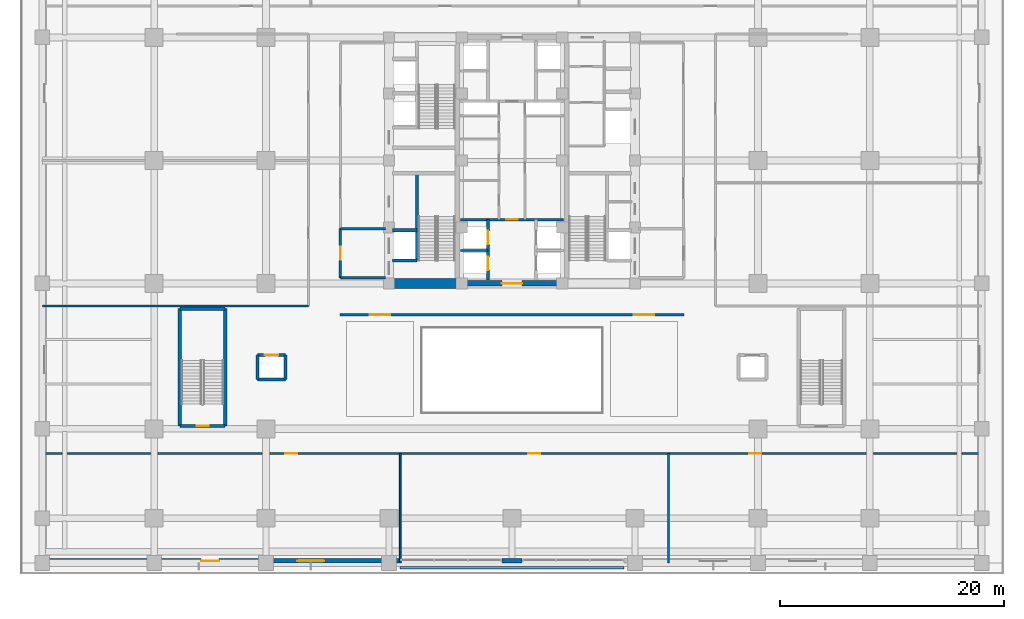
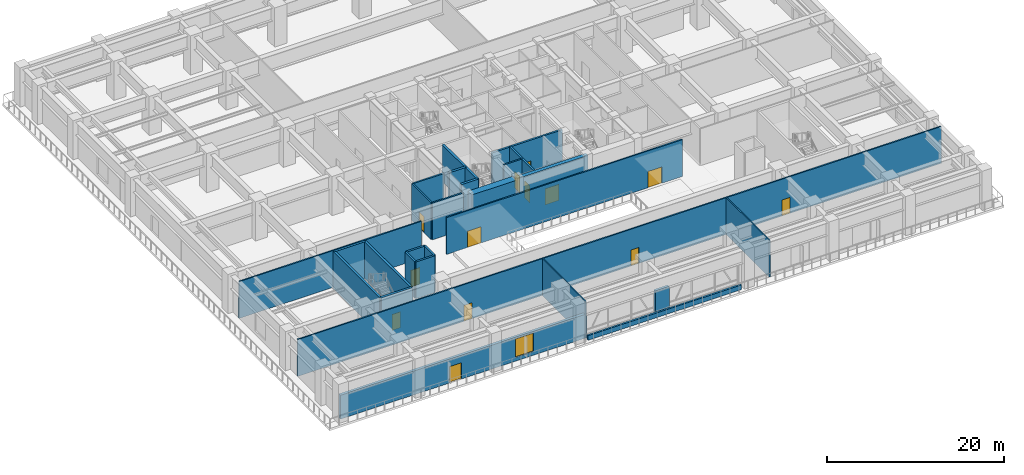
# One storey, part 15 of 28: 27 walls, 13 doors, 1 window, 14 openings.
"""IFC4 building model written with IfcOpenShell, lengths in metres."""

from ifc_helpers import new_model, si_unit, direction, frame, frame_2d, origin, place, context, subcontext, project, spatial, rectangle, extrude, source, transform, mapped, material, layer, layer_set, type_object, element, fill, save


model = new_model("IFC4")

# Units and contexts
model_context = context("Model", 3, precision=1e-05, world=origin(), true_north=direction((0.0, 1.0)))
body_context = subcontext(model_context, "Body", "Model", "MODEL_VIEW")
ifc_project = project(units=[si_unit("LENGTHUNIT", "METRE"), si_unit("AREAUNIT", "SQUARE_METRE"), si_unit("VOLUMEUNIT", "CUBIC_METRE"), si_unit("PLANEANGLEUNIT", "RADIAN"), si_unit("MASSUNIT", "GRAM", prefix="KILO")], contexts=[model_context])

# Site, building, storey
site_placement = place(None, origin())
site = spatial("IfcSite", under=ifc_project, at=site_placement, CompositionType="ELEMENT")
building_placement = place(site_placement, origin())
building = spatial("IfcBuilding", under=site, at=building_placement, Name="Khorayat Bourse Tower", CompositionType="ELEMENT")
storey_placement = place(building_placement, frame((0.0, 0.0, 12.0)))
storey = spatial("IfcBuildingStorey", under=building, at=storey_placement, Name="L02", CompositionType="ELEMENT", Elevation=12.0)

# Wall
ifc_material_1 = material(Name="Concrete C72/90", Category="concrete")
ifc_layer_1 = layer(ifc_material_1, 0.89990234375)
ifc_layer_set_1 = layer_set([ifc_layer_1], Name="Concrete C72/90")
wall_type_1 = type_object("IfcWallType", Name="WAL-CORE-900", PredefinedType="SHEAR", material=ifc_layer_set_1)
shared_shape_1 = source(origin(), body_context, "Body", "SweptSolid", [
    extrude(rectangle(XDim=5.849853515625, YDim=0.89990234375, at=frame_2d((2.9248046875, 0.0))), origin(), (0.0, 0.0, 1.0), 5.080078125),
])
wall_1_placement = place(storey_placement, frame((-10.699951171875, -11.0, 0.0), z_axis=(0.0, 0.0, 1.0), x_axis=(1.0, 0.0, 0.0)))
element("IfcWall", 1, at=wall_1_placement, inside=storey, type_object=wall_type_1, Name="L02 Core Shear Wall PIER-WS", PredefinedType="SHEAR", context=body_context, shape_type="MappedRepresentation", body=[
    mapped(shared_shape_1, transform((0.0, 0.0, 0.0), scale=1.0)),
])

# Wall, opening, door
ifc_material_2 = material(Name="Concrete C52/65", Category="concrete")
ifc_layer_2 = layer(ifc_material_2, 0.5)
ifc_layer_set_2 = layer_set([ifc_layer_2], Name="Concrete C52/65")
wall_type_2 = type_object("IfcWallType", Name="WAL-CORE-500", PredefinedType="SHEAR", material=ifc_layer_set_2)
shared_shape_2 = source(origin(), body_context, "Body", "SweptSolid", [
    extrude(rectangle(XDim=9.2001953125, YDim=0.5, at=frame_2d((4.60009765625, 0.0))), origin(), (0.0, 0.0, 1.0), 5.080078125),
])
wall_2_placement = place(storey_placement, frame((-4.60009765625, -11.0, 0.0), z_axis=(0.0, 0.0, 1.0), x_axis=(1.0, 0.0, 0.0)))
wall_2 = element("IfcWall", 2, at=wall_2_placement, inside=storey, type_object=wall_type_2, Name="L02 Core Shear Wall CORE-S", PredefinedType="SHEAR", context=body_context, shape_type="MappedRepresentation", body=[
    mapped(shared_shape_2, transform((0.0, 0.0, 0.0), scale=1.0)),
])
shared_shape_3 = source(origin(), body_context, "Body", "SweptSolid", [
    extrude(rectangle(XDim=1.800048828125, YDim=2.25, at=frame_2d((0.89990234375, 1.125))), frame((0.0, 0.260009765625, 0.0), z_axis=(0.0, -1.0, 0.0), x_axis=(1.0, 0.0, 0.0)), (0.0, 0.0, 1.0), 0.52001953125),
])
opening_1_placement = place(wall_2_placement, frame((3.699951171875, 0.0, 0.0)))
opening_1 = element("IfcOpeningElement", 3, at=opening_1_placement, cuts=wall_2, Name="Opening DI-03", PredefinedType="OPENING", context=body_context, shape_type="MappedRepresentation", body=[
    mapped(shared_shape_3, transform((0.0, 0.0, 0.0), scale=1.0)),
])
ifc_material_3 = material(Name="Fire-rated hardwood vision-panel double leaf", Category="wood")
door_type_1 = type_object("IfcDoorType", Name="DR-INT-CORR-1800", OperationType="NOTDEFINED", PredefinedType="DOOR", material=ifc_material_3)
shared_shape_4 = source(origin(), body_context, "Body", "SweptSolid", [
    extrude(rectangle(XDim=1.800048828125, YDim=2.25, at=frame_2d((0.89990234375, 1.125))), frame((0.0, 0.02490234375, 0.0), z_axis=(0.0, -1.0, 0.0), x_axis=(1.0, 0.0, 0.0)), (0.0, 0.0, 1.0), 0.050048828125),
])
door_1_placement = place(opening_1_placement, origin())
door_1 = element("IfcDoor", 4, at=door_1_placement, inside=storey, type_object=door_type_1, Name="L02 Low-Rise Lift Lobby Door", OperationType="SINGLE_SWING_LEFT", OverallHeight=2.25, OverallWidth=1.800048828125, PredefinedType="DOOR", context=body_context, shape_type="MappedRepresentation", body=[
    mapped(shared_shape_4, transform((0.0, 0.0, 0.0), scale=1.0)),
])
fill(opening_1, door_1)

# Wall
ifc_material_4 = material(Name="Precast concrete C45/55", Category="concrete")
ifc_layer_3 = layer(ifc_material_4, 0.239990234375)
ifc_layer_set_3 = layer_set([ifc_layer_3], Name="Precast concrete C45/55")
wall_type_3 = type_object("IfcWallType", Name="WAL-PLANTER-240", PredefinedType="STANDARD", material=ifc_layer_set_3)
shared_shape_5 = source(origin(), body_context, "Body", "SweptSolid", [
    extrude(rectangle(XDim=20.0, YDim=0.239990234375, at=frame_2d((10.0, 0.0))), origin(), (0.0, 0.0, 1.0), 0.64990234375),
])
wall_3_placement = place(storey_placement, frame((-10.0, -36.429931640625, 0.0), z_axis=(0.0, 0.0, 1.0), x_axis=(1.0, 0.0, 0.0)))
element("IfcWall", 5, at=wall_3_placement, inside=storey, type_object=wall_type_3, Name="L02 Planted Terrace Upstand PLN-S", PredefinedType="STANDARD", context=body_context, shape_type="MappedRepresentation", body=[
    mapped(shared_shape_5, transform((0.0, 0.0, 0.0), scale=1.0)),
])

# Wall, openings, door, window
ifc_layer_4 = layer(ifc_material_4, 0.3798828125)
ifc_layer_set_4 = layer_set([ifc_layer_4], Name="Precast concrete C45/55")
wall_type_4 = type_object("IfcWallType", Name="WAL-EXT-STONE-380", PredefinedType="STANDARD", material=ifc_layer_set_4)
shared_shape_6 = source(origin(), body_context, "Body", "SweptSolid", [
    extrude(rectangle(XDim=32.0, YDim=0.3798828125, at=frame_2d((16.0, 0.0))), origin(), (0.0, 0.0, 1.0), 3.280029296875),
])
wall_4_placement = place(storey_placement, frame((-42.0, -35.81005859375, 0.0), z_axis=(0.0, 0.0, 1.0), x_axis=(1.0, 0.0, 0.0)))
wall_4 = element("IfcWall", 6, at=wall_4_placement, inside=storey, type_object=wall_type_4, Name="L02 Exterior Limestone Wall WAL-L02-EXT-SW", PredefinedType="STANDARD", context=body_context, shape_type="MappedRepresentation", body=[
    mapped(shared_shape_6, transform((0.0, 0.0, 0.0), scale=1.0)),
])
shared_shape_7 = source(origin(), body_context, "Body", "SweptSolid", [
    extrude(rectangle(XDim=1.60009765625, YDim=2.25, at=frame_2d((0.800048828125, 1.125))), frame((0.0, 0.199951171875, 0.0), z_axis=(0.0, -1.0, 0.0), x_axis=(1.0, 0.0, 0.0)), (0.0, 0.0, 1.0), 0.39990234375),
])
opening_2_placement = place(wall_4_placement, frame((14.199951171875, 0.0, 0.0)))
opening_2 = element("IfcOpeningElement", 7, at=opening_2_placement, cuts=wall_4, Name="Opening DE-04", PredefinedType="OPENING", context=body_context, shape_type="MappedRepresentation", body=[
    mapped(shared_shape_7, transform((0.0, 0.0, 0.0), scale=1.0)),
])
shared_shape_8 = source(origin(), body_context, "Body", "SweptSolid", [
    extrude(rectangle(XDim=2.39990234375, YDim=2.56005859375, at=frame_2d((1.199951171875, 1.280029296875))), frame((0.0, 0.199951171875, 0.0), z_axis=(0.0, -1.0, 0.0), x_axis=(1.0, 0.0, 0.0)), (0.0, 0.0, 1.0), 0.39990234375),
])
opening_3_placement = place(wall_4_placement, frame((22.800048828125, 0.0, 0.5)))
opening_3 = element("IfcOpeningElement", 8, at=opening_3_placement, cuts=wall_4, Name="Opening WN-01", PredefinedType="OPENING", context=body_context, shape_type="MappedRepresentation", body=[
    mapped(shared_shape_8, transform((0.0, 0.0, 0.0), scale=1.0)),
])
ifc_material_5 = material(Name="Thermally broken aluminium terrace double door", Category="aluminium")
door_type_2 = type_object("IfcDoorType", Name="DR-EXT-TERR-1600", OperationType="NOTDEFINED", PredefinedType="DOOR", material=ifc_material_5)
shared_shape_9 = source(origin(), body_context, "Body", "SweptSolid", [
    extrude(rectangle(XDim=1.60009765625, YDim=2.25, at=frame_2d((0.800048828125, 1.125))), frame((0.0, 0.02490234375, 0.0), z_axis=(0.0, -1.0, 0.0), x_axis=(1.0, 0.0, 0.0)), (0.0, 0.0, 1.0), 0.050048828125),
])
door_2_placement = place(opening_2_placement, origin())
door_2 = element("IfcDoor", 9, at=door_2_placement, inside=storey, type_object=door_type_2, Name="L02 South Garden Terrace Door", OperationType="DOUBLE_DOOR_SINGLE_SWING", OverallHeight=2.25, OverallWidth=1.60009765625, PredefinedType="DOOR", context=body_context, shape_type="MappedRepresentation", body=[
    mapped(shared_shape_9, transform((0.0, 0.0, 0.0), scale=1.0)),
])
fill(opening_2, door_2)
ifc_material_6 = material(Name="Low-E solar-control laminated double glazing", Category="glass")
window_type = type_object("IfcWindowType", Name="WIN-POD-2400x2600", PartitioningType="SINGLE_PANEL", PredefinedType="WINDOW", material=ifc_material_6)
shared_shape_10 = source(origin(), body_context, "Body", "SweptSolid", [
    extrude(rectangle(XDim=2.39990234375, YDim=2.56005859375, at=frame_2d((1.199951171875, 1.280029296875))), frame((0.0, 0.030029296875, 0.0), z_axis=(0.0, -1.0, 0.0), x_axis=(1.0, 0.0, 0.0)), (0.0, 0.0, 1.0), 0.06005859375),
])
window_placement = place(opening_3_placement, origin())
window = element("IfcWindow", 10, at=window_placement, inside=storey, type_object=window_type, Name="L02 Facade Window 3", OverallHeight=2.56005859375, OverallWidth=2.39990234375, PartitioningType="SINGLE_PANEL", PredefinedType="WINDOW", context=body_context, shape_type="MappedRepresentation", body=[
    mapped(shared_shape_10, transform((0.0, 0.0, 0.0), scale=1.0)),
])
fill(opening_3, window)

# Walls
shared_shape_11 = source(origin(), body_context, "Body", "SweptSolid", [
    extrude(rectangle(XDim=1.7998046875, YDim=0.3798828125, at=frame_2d((0.89990234375, 0.0))), origin(), (0.0, 0.0, 1.0), 3.280029296875),
])
wall_5_placement = place(storey_placement, frame((-0.89990234375, -35.81005859375, 0.0), z_axis=(0.0, 0.0, 1.0), x_axis=(1.0, 0.0, 0.0)))
element("IfcWall", 11, at=wall_5_placement, inside=storey, type_object=wall_type_4, Name="L02 Exterior Limestone Wall WAL-L02-EXT-SM", PredefinedType="STANDARD", context=body_context, shape_type="MappedRepresentation", body=[
    mapped(shared_shape_11, transform((0.0, 0.0, 0.0), scale=1.0)),
])
ifc_material_7 = material(Name="Concrete C50/60", Category="concrete")
ifc_layer_5 = layer(ifc_material_7, 0.300048828125)
ifc_layer_set_5 = layer_set([ifc_layer_5], Name="Concrete C50/60")
wall_type_5 = type_object("IfcWallType", Name="WAL-SHAFT-300", PredefinedType="SHEAR", material=ifc_layer_set_5)
shared_shape_12 = source(origin(), body_context, "Body", "SweptSolid", [
    extrude(rectangle(XDim=7.800048828125, YDim=0.300048828125, at=frame_2d((3.89990234375, 0.0))), origin(), (0.0, 0.0, 1.0), 5.080078125),
])
wall_6_placement = place(storey_placement, frame((-8.5, -8.949951171875, 0.0), z_axis=(0.0, 0.0, 1.0), x_axis=(0.0, 1.0, 0.0)))
element("IfcWall", 12, at=wall_6_placement, inside=storey, type_object=wall_type_5, Name="L02 Partition WAL-L02-WPIER-SP", PredefinedType="SHEAR", context=body_context, shape_type="MappedRepresentation", body=[
    mapped(shared_shape_12, transform((0.0, 0.0, 0.0), scale=1.0)),
])
shared_shape_13 = source(origin(), body_context, "Body", "SweptSolid", [
    extrude(rectangle(XDim=2.199951171875, YDim=0.300048828125, at=frame_2d((1.10009765625, 0.0))), origin(), (0.0, 0.0, 1.0), 5.080078125),
])
for number, where, z_axis, x_axis, name in (
    (13, (-10.699951171875, -8.949951171875, 0.0), (0.0, 0.0, 1.0), (1.0, 0.0, 0.0), "L02 Partition WAL-L02-WPIER-FF1S"),
    (14, (-10.699951171875, -6.25, 0.0), (0.0, 0.0, 1.0), (1.0, 0.0, 0.0), "L02 Partition WAL-L02-WPIER-FF1N"),
):
    element("IfcWall", number, at=place(storey_placement, frame(where, z_axis=z_axis, x_axis=x_axis)), inside=storey, type_object=wall_type_5, Name=name, PredefinedType="SHEAR", context=body_context, shape_type="MappedRepresentation", body=[
        mapped(shared_shape_13, transform((0.0, 0.0, 0.0), scale=1.0)),
    ])
ifc_material_8 = material(Name="Aerated concrete blockwork", Category="masonry")
ifc_layer_6 = layer(ifc_material_8, 0.219970703125)
ifc_layer_set_6 = layer_set([ifc_layer_6], Name="Aerated concrete blockwork")
wall_type_6 = type_object("IfcWallType", Name="WAL-PART-FF-220", PredefinedType="PARTITIONING", material=ifc_layer_set_6)
shared_shape_14 = source(origin(), body_context, "Body", "SweptSolid", [
    extrude(rectangle(XDim=4.050048828125, YDim=0.219970703125, at=frame_2d((2.02490234375, 0.0))), origin(), (0.0, 0.0, 1.0), 5.080078125),
])
for number, where, z_axis, x_axis, name in (
    (15, (-15.35009765625, -10.5, 0.0), (0.0, 0.0, 1.0), (1.0, 0.0, 0.0), "L02 Partition WAL-L02-FFLW-S"),
    (16, (-15.35009765625, -6.10009765625, 0.0), (0.0, 0.0, 1.0), (1.0, 0.0, 0.0), "L02 Partition WAL-L02-FFLW-N"),
):
    element("IfcWall", number, at=place(storey_placement, frame(where, z_axis=z_axis, x_axis=x_axis)), inside=storey, type_object=wall_type_6, Name=name, PredefinedType="PARTITIONING", context=body_context, shape_type="MappedRepresentation", body=[
        mapped(shared_shape_14, transform((0.0, 0.0, 0.0), scale=1.0)),
    ])

# Wall, opening, door
shared_shape_15 = source(origin(), body_context, "Body", "SweptSolid", [
    extrude(rectangle(XDim=4.39990234375, YDim=0.219970703125, at=frame_2d((2.199951171875, 0.0))), origin(), (0.0, 0.0, 1.0), 5.080078125),
])
wall_7_placement = place(storey_placement, frame((-15.35009765625, -10.5, 0.0), z_axis=(0.0, 0.0, 1.0), x_axis=(0.0, 1.0, 0.0)))
wall_7 = element("IfcWall", 17, at=wall_7_placement, inside=storey, type_object=wall_type_6, Name="L02 Partition WAL-L02-FFLW-W", PredefinedType="PARTITIONING", context=body_context, shape_type="MappedRepresentation", body=[
    mapped(shared_shape_15, transform((0.0, 0.0, 0.0), scale=1.0)),
])
shared_shape_16 = source(origin(), body_context, "Body", "SweptSolid", [
    extrude(rectangle(XDim=1.199951171875, YDim=2.199951171875, at=frame_2d((0.60009765625, 1.10009765625))), frame((0.0, 0.119873046875, 0.0), z_axis=(0.0, -1.0, 0.0), x_axis=(1.0, 0.0, 0.0)), (0.0, 0.0, 1.0), 0.239990234375),
])
opening_4_placement = place(wall_7_placement, frame((1.60009765625, 0.0, 0.0)))
opening_4 = element("IfcOpeningElement", 18, at=opening_4_placement, cuts=wall_7, Name="Opening DI-02", PredefinedType="OPENING", context=body_context, shape_type="MappedRepresentation", body=[
    mapped(shared_shape_16, transform((0.0, 0.0, 0.0), scale=1.0)),
])
ifc_material_9 = material(Name="Fire-rated steel double-seal leaf", Category="steel")
door_type_3 = type_object("IfcDoorType", Name="DR-INT-FFLOBBY-1200", OperationType="NOTDEFINED", PredefinedType="DOOR", material=ifc_material_9)
shared_shape_17 = source(origin(), body_context, "Body", "SweptSolid", [
    extrude(rectangle(XDim=1.199951171875, YDim=2.199951171875, at=frame_2d((0.60009765625, 1.10009765625))), frame((0.0, 0.02490234375, 0.0), z_axis=(0.0, -1.0, 0.0), x_axis=(1.0, 0.0, 0.0)), (0.0, 0.0, 1.0), 0.050048828125),
])
door_3_placement = place(opening_4_placement, origin())
door_3 = element("IfcDoor", 19, at=door_3_placement, inside=storey, type_object=door_type_3, Name="L02 West Firefighting Lobby Door", OperationType="SINGLE_SWING_LEFT", OverallHeight=2.199951171875, OverallWidth=1.199951171875, PredefinedType="DOOR", context=body_context, shape_type="MappedRepresentation", body=[
    mapped(shared_shape_17, transform((0.0, 0.0, 0.0), scale=1.0)),
])
fill(opening_4, door_3)

# Wall, openings, doors
shared_shape_18 = source(origin(), body_context, "Body", "SweptSolid", [
    extrude(rectangle(XDim=5.39990234375, YDim=0.25, at=frame_2d((2.699951171875, 0.0))), origin(), (0.0, 0.0, 1.0), 5.080078125),
])
wall_8_placement = place(storey_placement, frame((-2.14990234375, -10.699951171875, 0.0), z_axis=(0.0, 0.0, 1.0), x_axis=(0.0, 1.0, 0.0)))
wall_8 = element("IfcWall", 20, at=wall_8_placement, inside=storey, type_object=wall_type_5, Name="L02 Partition WAL-L02-B1-W", PredefinedType="SHEAR", context=body_context, shape_type="MappedRepresentation", body=[
    mapped(shared_shape_18, transform((0.0, 0.0, 0.0), scale=1.0)),
])
shared_shape_19 = source(origin(), body_context, "Body", "SweptSolid", [
    extrude(rectangle(XDim=1.199951171875, YDim=2.300048828125, at=frame_2d((0.60009765625, 1.14990234375))), frame((0.0, 0.135009765625, 0.0), z_axis=(0.0, -1.0, 0.0), x_axis=(1.0, 0.0, 0.0)), (0.0, 0.0, 1.0), 0.27001953125),
])
opening_5_placement = place(wall_8_placement, frame((0.89990234375, 0.0, 0.0)))
opening_5 = element("IfcOpeningElement", 21, at=opening_5_placement, cuts=wall_8, Name="Opening LD-01", PredefinedType="OPENING", context=body_context, shape_type="MappedRepresentation", body=[
    mapped(shared_shape_19, transform((0.0, 0.0, 0.0), scale=1.0)),
])
opening_6_placement = place(wall_8_placement, frame((3.199951171875, 0.0, 0.0)))
opening_6 = element("IfcOpeningElement", 22, at=opening_6_placement, cuts=wall_8, Name="Opening LD-01", PredefinedType="OPENING", context=body_context, shape_type="MappedRepresentation", body=[
    mapped(shared_shape_19, transform((0.0, 0.0, 0.0), scale=1.0)),
])
ifc_material_10 = material(Name="Brushed bronze stainless-steel sliding door", Category="steel")
door_type_4 = type_object("IfcDoorType", Name="DR-LIFT-PASS-1200", OperationType="NOTDEFINED", PredefinedType="DOOR", material=ifc_material_10)
shared_shape_20 = source(origin(), body_context, "Body", "SweptSolid", [
    extrude(rectangle(XDim=1.199951171875, YDim=2.300048828125, at=frame_2d((0.60009765625, 1.14990234375))), frame((0.0, 0.02490234375, 0.0), z_axis=(0.0, -1.0, 0.0), x_axis=(1.0, 0.0, 0.0)), (0.0, 0.0, 1.0), 0.050048828125),
])
door_4_placement = place(opening_5_placement, origin())
door_4 = element("IfcDoor", 23, at=door_4_placement, inside=storey, type_object=door_type_4, Name="L02 Lift PL-L1 Sliding Landing Door", OperationType="SLIDING_TO_LEFT", OverallHeight=2.300048828125, OverallWidth=1.199951171875, PredefinedType="DOOR", context=body_context, shape_type="MappedRepresentation", body=[
    mapped(shared_shape_20, transform((0.0, 0.0, 0.0), scale=1.0)),
])
fill(opening_5, door_4)
door_5_placement = place(opening_6_placement, origin())
door_5 = element("IfcDoor", 24, at=door_5_placement, inside=storey, type_object=door_type_4, Name="L02 Lift PL-L3 Sliding Landing Door", OperationType="SLIDING_TO_LEFT", OverallHeight=2.300048828125, OverallWidth=1.199951171875, PredefinedType="DOOR", context=body_context, shape_type="MappedRepresentation", body=[
    mapped(shared_shape_20, transform((0.0, 0.0, 0.0), scale=1.0)),
])
fill(opening_6, door_5)

# Wall
shared_shape_21 = source(origin(), body_context, "Body", "SweptSolid", [
    extrude(rectangle(XDim=2.4501953125, YDim=0.199951171875, at=frame_2d((1.22509765625, 0.0))), origin(), (0.0, 0.0, 1.0), 5.080078125),
])
wall_9_placement = place(storey_placement, frame((-4.60009765625, -8.050048828125, 0.0), z_axis=(0.0, 0.0, 1.0), x_axis=(1.0, 0.0, 0.0)))
element("IfcWall", 25, at=wall_9_placement, inside=storey, type_object=wall_type_5, Name="L02 Partition WAL-L02-B1-MW", PredefinedType="SHEAR", context=body_context, shape_type="MappedRepresentation", body=[
    mapped(shared_shape_21, transform((0.0, 0.0, 0.0), scale=1.0)),
])

# Wall, opening, door
shared_shape_22 = source(origin(), body_context, "Body", "SweptSolid", [
    extrude(rectangle(XDim=9.2001953125, YDim=0.25, at=frame_2d((4.60009765625, 0.0))), origin(), (0.0, 0.0, 1.0), 5.080078125),
])
wall_10_placement = place(storey_placement, frame((-4.60009765625, -5.300048828125, 0.0), z_axis=(0.0, 0.0, 1.0), x_axis=(1.0, 0.0, 0.0)))
wall_10 = element("IfcWall", 26, at=wall_10_placement, inside=storey, type_object=wall_type_5, Name="L02 Partition WAL-L02-B1-N", PredefinedType="SHEAR", context=body_context, shape_type="MappedRepresentation", body=[
    mapped(shared_shape_22, transform((0.0, 0.0, 0.0), scale=1.0)),
])
shared_shape_23 = source(origin(), body_context, "Body", "SweptSolid", [
    extrude(rectangle(XDim=1.050048828125, YDim=2.199951171875, at=frame_2d((0.52490234375, 1.10009765625))), frame((0.0, 0.135009765625, 0.0), z_axis=(0.0, -1.0, 0.0), x_axis=(1.0, 0.0, 0.0)), (0.0, 0.0, 1.0), 0.27001953125),
])
opening_7_placement = place(wall_10_placement, frame((4.074951171875, 0.0, 0.0)))
opening_7 = element("IfcOpeningElement", 27, at=opening_7_placement, cuts=wall_10, Name="Opening DI-04", PredefinedType="OPENING", context=body_context, shape_type="MappedRepresentation", body=[
    mapped(shared_shape_23, transform((0.0, 0.0, 0.0), scale=1.0)),
])
ifc_material_11 = material(Name="Fire-rated oak veneer suite entrance door")
door_type_5 = type_object("IfcDoorType", Name="DR-INT-SUITE-1050", OperationType="NOTDEFINED", PredefinedType="DOOR", material=ifc_material_11)
shared_shape_24 = source(origin(), body_context, "Body", "SweptSolid", [
    extrude(rectangle(XDim=1.050048828125, YDim=2.199951171875, at=frame_2d((0.52490234375, 1.10009765625))), frame((0.0, 0.02490234375, 0.0), z_axis=(0.0, -1.0, 0.0), x_axis=(1.0, 0.0, 0.0)), (0.0, 0.0, 1.0), 0.050048828125),
])
door_6_placement = place(opening_7_placement, origin())
door_6 = element("IfcDoor", 28, at=door_6_placement, inside=storey, type_object=door_type_5, Name="L02 Core Spine South Door", OperationType="SINGLE_SWING_LEFT", OverallHeight=2.199951171875, OverallWidth=1.050048828125, PredefinedType="DOOR", context=body_context, shape_type="MappedRepresentation", body=[
    mapped(shared_shape_24, transform((0.0, 0.0, 0.0), scale=1.0)),
])
fill(opening_7, door_6)

shared_shape_25 = source(origin(), body_context, "Body", "SweptSolid", [
    extrude(rectangle(XDim=4.050048828125, YDim=0.300048828125, at=frame_2d((2.02490234375, 0.0))), origin(), (0.0, 0.0, 1.0), 5.080078125),
])
wall_11_placement = place(storey_placement, frame((-29.699951171875, -23.75, 0.0), z_axis=(0.0, 0.0, 1.0), x_axis=(1.0, 0.0, 0.0)))
wall_11 = element("IfcWall", 29, at=wall_11_placement, inside=storey, type_object=wall_type_5, Name="L02 Partition WAL-L02-STP1-S", PredefinedType="SHEAR", context=body_context, shape_type="MappedRepresentation", body=[
    mapped(shared_shape_25, transform((0.0, 0.0, 0.0), scale=1.0)),
])
shared_shape_26 = source(origin(), body_context, "Body", "SweptSolid", [
    extrude(rectangle(XDim=1.10009765625, YDim=2.199951171875, at=frame_2d((0.550048828125, 1.10009765625))), frame((0.0, 0.159912109375, 0.0), z_axis=(0.0, -1.0, 0.0), x_axis=(1.0, 0.0, 0.0)), (0.0, 0.0, 1.0), 0.320068359375),
])
opening_8_placement = place(wall_11_placement, frame((1.5, 0.0, 0.0)))
opening_8 = element("IfcOpeningElement", 30, at=opening_8_placement, cuts=wall_11, Name="Opening DI-01", PredefinedType="OPENING", context=body_context, shape_type="MappedRepresentation", body=[
    mapped(shared_shape_26, transform((0.0, 0.0, 0.0), scale=1.0)),
])
ifc_material_12 = material(Name="Fire-rated steel acoustic leaf", Category="steel")
door_type_6 = type_object("IfcDoorType", Name="DR-INT-STAIR-1100", OperationType="NOTDEFINED", PredefinedType="DOOR", material=ifc_material_12)
shared_shape_27 = source(origin(), body_context, "Body", "SweptSolid", [
    extrude(rectangle(XDim=1.10009765625, YDim=2.199951171875, at=frame_2d((0.550048828125, 1.10009765625))), frame((0.0, 0.02490234375, 0.0), z_axis=(0.0, -1.0, 0.0), x_axis=(1.0, 0.0, 0.0)), (0.0, 0.0, 1.0), 0.050048828125),
])
door_7_placement = place(opening_8_placement, origin())
door_7 = element("IfcDoor", 31, at=door_7_placement, inside=storey, type_object=door_type_6, Name="L02 Podium Stair P1 Door", OperationType="SINGLE_SWING_RIGHT", OverallHeight=2.199951171875, OverallWidth=1.10009765625, PredefinedType="DOOR", context=body_context, shape_type="MappedRepresentation", body=[
    mapped(shared_shape_27, transform((0.0, 0.0, 0.0), scale=1.0)),
])
fill(opening_8, door_7)

# Walls
wall_12_placement = place(storey_placement, frame((-29.699951171875, -13.25, 0.0), z_axis=(0.0, 0.0, 1.0), x_axis=(1.0, 0.0, 0.0)))
element("IfcWall", 32, at=wall_12_placement, inside=storey, type_object=wall_type_5, Name="L02 Partition WAL-L02-STP1-N", PredefinedType="SHEAR", context=body_context, shape_type="MappedRepresentation", body=[
    mapped(shared_shape_25, transform((0.0, 0.0, 0.0), scale=1.0)),
])
shared_shape_28 = source(origin(), body_context, "Body", "SweptSolid", [
    extrude(rectangle(XDim=10.5, YDim=0.300048828125, at=frame_2d((5.25, 0.0))), origin(), (0.0, 0.0, 1.0), 5.080078125),
])
for number, where, z_axis, x_axis, name in (
    (33, (-29.699951171875, -23.75, 0.0), (0.0, 0.0, 1.0), (0.0, 1.0, 0.0), "L02 Partition WAL-L02-STP1-W"),
    (34, (-25.64990234375, -23.75, 0.0), (0.0, 0.0, 1.0), (0.0, 1.0, 0.0), "L02 Partition WAL-L02-STP1-E"),
):
    element("IfcWall", number, at=place(storey_placement, frame(where, z_axis=z_axis, x_axis=x_axis)), inside=storey, type_object=wall_type_5, Name=name, PredefinedType="SHEAR", context=body_context, shape_type="MappedRepresentation", body=[
        mapped(shared_shape_28, transform((0.0, 0.0, 0.0), scale=1.0)),
    ])
shared_shape_29 = source(origin(), body_context, "Body", "SweptSolid", [
    extrude(rectangle(XDim=2.5, YDim=0.25, at=frame_2d((1.25, 0.0))), origin(), (0.0, 0.0, 1.0), 5.080078125),
])
wall_13_placement = place(storey_placement, frame((-22.75, -19.60009765625, 0.0), z_axis=(0.0, 0.0, 1.0), x_axis=(1.0, 0.0, 0.0)))
element("IfcWall", 35, at=wall_13_placement, inside=storey, type_object=wall_type_5, Name="L02 Partition WAL-L02-PLP1-S", PredefinedType="SHEAR", context=body_context, shape_type="MappedRepresentation", body=[
    mapped(shared_shape_29, transform((0.0, 0.0, 0.0), scale=1.0)),
])

# Wall, opening, door
wall_14_placement = place(storey_placement, frame((-22.75, -17.39990234375, 0.0), z_axis=(0.0, 0.0, 1.0), x_axis=(1.0, 0.0, 0.0)))
wall_14 = element("IfcWall", 36, at=wall_14_placement, inside=storey, type_object=wall_type_5, Name="L02 Partition WAL-L02-PLP1-N", PredefinedType="SHEAR", context=body_context, shape_type="MappedRepresentation", body=[
    mapped(shared_shape_29, transform((0.0, 0.0, 0.0), scale=1.0)),
])
opening_9_placement = place(wall_14_placement, frame((0.64990234375, 0.0, 0.0)))
opening_9 = element("IfcOpeningElement", 37, at=opening_9_placement, cuts=wall_14, Name="Opening LD-01", PredefinedType="OPENING", context=body_context, shape_type="MappedRepresentation", body=[
    mapped(shared_shape_19, transform((0.0, 0.0, 0.0), scale=1.0)),
])
door_8_placement = place(opening_9_placement, origin())
door_8 = element("IfcDoor", 38, at=door_8_placement, inside=storey, type_object=door_type_4, Name="L02 Lift PL-P1 Sliding Landing Door", OperationType="SLIDING_TO_LEFT", OverallHeight=2.300048828125, OverallWidth=1.199951171875, PredefinedType="DOOR", context=body_context, shape_type="MappedRepresentation", body=[
    mapped(shared_shape_20, transform((0.0, 0.0, 0.0), scale=1.0)),
])
fill(opening_9, door_8)

# Walls
shared_shape_30 = source(origin(), body_context, "Body", "SweptSolid", [
    extrude(rectangle(XDim=2.2001953125, YDim=0.25, at=frame_2d((1.10009765625, 0.0))), origin(), (0.0, 0.0, 1.0), 5.080078125),
])
for number, where, z_axis, x_axis, name in (
    (39, (-22.75, -19.60009765625, 0.0), (0.0, 0.0, 1.0), (0.0, 1.0, 0.0), "L02 Partition WAL-L02-PLP1-W"),
    (40, (-20.25, -19.60009765625, 0.0), (0.0, 0.0, 1.0), (0.0, 1.0, 0.0), "L02 Partition WAL-L02-PLP1-E"),
):
    element("IfcWall", number, at=place(storey_placement, frame(where, z_axis=z_axis, x_axis=x_axis)), inside=storey, type_object=wall_type_5, Name=name, PredefinedType="SHEAR", context=body_context, shape_type="MappedRepresentation", body=[
        mapped(shared_shape_30, transform((0.0, 0.0, 0.0), scale=1.0)),
    ])

# Wall, openings, doors
ifc_material_13 = material(Name="Gypsum plasterboard acoustic stud wall")
ifc_layer_7 = layer(ifc_material_13, 0.179931640625)
ifc_layer_set_7 = layer_set([ifc_layer_7], Name="Gypsum plasterboard acoustic stud wall")
wall_type_7 = type_object("IfcWallType", Name="WAL-PART-CORR-180", PredefinedType="PARTITIONING", material=ifc_layer_set_7)
shared_shape_31 = source(origin(), body_context, "Body", "SweptSolid", [
    extrude(rectangle(XDim=30.7998046875, YDim=0.179931640625, at=frame_2d((15.39990234375, 0.0))), origin(), (0.0, 0.0, 1.0), 5.080078125),
])
wall_15_placement = place(storey_placement, frame((-15.39990234375, -13.800048828125, 0.0), z_axis=(0.0, 0.0, 1.0), x_axis=(1.0, 0.0, 0.0)))
wall_15 = element("IfcWall", 41, at=wall_15_placement, inside=storey, type_object=wall_type_7, Name="L02 Partition WAL-L02-HALL-N", PredefinedType="PARTITIONING", context=body_context, shape_type="MappedRepresentation", body=[
    mapped(shared_shape_31, transform((0.0, 0.0, 0.0), scale=1.0)),
])
shared_shape_32 = source(origin(), body_context, "Body", "SweptSolid", [
    extrude(rectangle(XDim=1.800048828125, YDim=2.25, at=frame_2d((0.89990234375, 1.125))), frame((0.0, 0.099853515625, 0.0), z_axis=(0.0, -1.0, 0.0), x_axis=(1.0, 0.0, 0.0)), (0.0, 0.0, 1.0), 0.199951171875),
])
opening_10_placement = place(wall_15_placement, frame((2.699951171875, 0.0, 0.0)))
opening_10 = element("IfcOpeningElement", 42, at=opening_10_placement, cuts=wall_15, Name="Opening DI-03", PredefinedType="OPENING", context=body_context, shape_type="MappedRepresentation", body=[
    mapped(shared_shape_32, transform((0.0, 0.0, 0.0), scale=1.0)),
])
opening_11_placement = place(wall_15_placement, frame((26.300048828125, 0.0, 0.0)))
opening_11 = element("IfcOpeningElement", 43, at=opening_11_placement, cuts=wall_15, Name="Opening DI-03", PredefinedType="OPENING", context=body_context, shape_type="MappedRepresentation", body=[
    mapped(shared_shape_32, transform((0.0, 0.0, 0.0), scale=1.0)),
])
door_9_placement = place(opening_10_placement, origin())
door_9 = element("IfcDoor", 44, at=door_9_placement, inside=storey, type_object=door_type_1, Name="L02 Derivatives and Options Gallery West Door", OperationType="SINGLE_SWING_LEFT", OverallHeight=2.25, OverallWidth=1.800048828125, PredefinedType="DOOR", context=body_context, shape_type="MappedRepresentation", body=[
    mapped(shared_shape_4, transform((0.0, 0.0, 0.0), scale=1.0)),
])
fill(opening_10, door_9)
door_10_placement = place(opening_11_placement, origin())
door_10 = element("IfcDoor", 45, at=door_10_placement, inside=storey, type_object=door_type_1, Name="L02 Derivatives and Options Gallery East Door", OperationType="SINGLE_SWING_RIGHT", OverallHeight=2.25, OverallWidth=1.800048828125, PredefinedType="DOOR", context=body_context, shape_type="MappedRepresentation", body=[
    mapped(shared_shape_4, transform((0.0, 0.0, 0.0), scale=1.0)),
])
fill(opening_11, door_10)

# Walls
ifc_material_14 = material(Name="Gypsum plasterboard twin-frame partition")
ifc_layer_8 = layer(ifc_material_14, 0.14990234375)
ifc_layer_set_8 = layer_set([ifc_layer_8], Name="Gypsum plasterboard twin-frame partition")
wall_type_8 = type_object("IfcWallType", Name="WAL-PART-SUITE-150", PredefinedType="PARTITIONING", material=ifc_layer_set_8)
shared_shape_33 = source(origin(), body_context, "Body", "SweptSolid", [
    extrude(rectangle(XDim=9.800048828125, YDim=0.14990234375, at=frame_2d((4.89990234375, 0.0))), origin(), (0.0, 0.0, 1.0), 5.080078125),
])
for number, where, z_axis, x_axis, name in (
    (46, (-10.0, -36.0, 0.0), (0.0, 0.0, 1.0), (0.0, 1.0, 0.0), "L02 Partition WAL-L02-PS-DIV-1"),
    (47, (14.0, -36.0, 0.0), (0.0, 0.0, 1.0), (0.0, 1.0, 0.0), "L02 Partition WAL-L02-PS-DIV-2"),
):
    element("IfcWall", number, at=place(storey_placement, frame(where, z_axis=z_axis, x_axis=x_axis)), inside=storey, type_object=wall_type_8, Name=name, PredefinedType="PARTITIONING", context=body_context, shape_type="MappedRepresentation", body=[
        mapped(shared_shape_33, transform((0.0, 0.0, 0.0), scale=1.0)),
    ])

# Wall, openings, doors
shared_shape_34 = source(origin(), body_context, "Body", "SweptSolid", [
    extrude(rectangle(XDim=84.0, YDim=0.179931640625, at=frame_2d((42.0, 0.0))), origin(), (0.0, 0.0, 1.0), 5.080078125),
])
wall_16_placement = place(storey_placement, frame((-42.0, -26.199951171875, 0.0), z_axis=(0.0, 0.0, 1.0), x_axis=(1.0, 0.0, 0.0)))
wall_16 = element("IfcWall", 48, at=wall_16_placement, inside=storey, type_object=wall_type_7, Name="L02 Partition WAL-L02-PCORRS-S", PredefinedType="PARTITIONING", context=body_context, shape_type="MappedRepresentation", body=[
    mapped(shared_shape_34, transform((0.0, 0.0, 0.0), scale=1.0)),
])
shared_shape_35 = source(origin(), body_context, "Body", "SweptSolid", [
    extrude(rectangle(XDim=1.050048828125, YDim=2.199951171875, at=frame_2d((0.52490234375, 1.10009765625))), frame((0.0, 0.099853515625, 0.0), z_axis=(0.0, -1.0, 0.0), x_axis=(1.0, 0.0, 0.0)), (0.0, 0.0, 1.0), 0.199951171875),
])
opening_12_placement = place(wall_16_placement, frame((21.72509765625, 0.0, 0.0)))
opening_12 = element("IfcOpeningElement", 49, at=opening_12_placement, cuts=wall_16, Name="Opening DI-04", PredefinedType="OPENING", context=body_context, shape_type="MappedRepresentation", body=[
    mapped(shared_shape_35, transform((0.0, 0.0, 0.0), scale=1.0)),
])
opening_13_placement = place(wall_16_placement, frame((43.47509765625, 0.0, 0.0)))
opening_13 = element("IfcOpeningElement", 50, at=opening_13_placement, cuts=wall_16, Name="Opening DI-04", PredefinedType="OPENING", context=body_context, shape_type="MappedRepresentation", body=[
    mapped(shared_shape_35, transform((0.0, 0.0, 0.0), scale=1.0)),
])
opening_14_placement = place(wall_16_placement, frame((63.22509765625, 0.0, 0.0)))
opening_14 = element("IfcOpeningElement", 51, at=opening_14_placement, cuts=wall_16, Name="Opening DI-04", PredefinedType="OPENING", context=body_context, shape_type="MappedRepresentation", body=[
    mapped(shared_shape_35, transform((0.0, 0.0, 0.0), scale=1.0)),
])
door_11_placement = place(opening_12_placement, origin())
door_11 = element("IfcDoor", 52, at=door_11_placement, inside=storey, type_object=door_type_5, Name="L02 Commodities Dealing Hall Door", OperationType="SINGLE_SWING_RIGHT", OverallHeight=2.199951171875, OverallWidth=1.050048828125, PredefinedType="DOOR", context=body_context, shape_type="MappedRepresentation", body=[
    mapped(shared_shape_24, transform((0.0, 0.0, 0.0), scale=1.0)),
])
fill(opening_12, door_11)
door_12_placement = place(opening_13_placement, origin())
door_12 = element("IfcDoor", 53, at=door_12_placement, inside=storey, type_object=door_type_5, Name="L02 Quantitative Modelling Lab Door", OperationType="SINGLE_SWING_LEFT", OverallHeight=2.199951171875, OverallWidth=1.050048828125, PredefinedType="DOOR", context=body_context, shape_type="MappedRepresentation", body=[
    mapped(shared_shape_24, transform((0.0, 0.0, 0.0), scale=1.0)),
])
fill(opening_13, door_12)
door_13_placement = place(opening_14_placement, origin())
door_13 = element("IfcDoor", 54, at=door_13_placement, inside=storey, type_object=door_type_5, Name="L02 Derivatives Risk Office Door", OperationType="SINGLE_SWING_RIGHT", OverallHeight=2.199951171875, OverallWidth=1.050048828125, PredefinedType="DOOR", context=body_context, shape_type="MappedRepresentation", body=[
    mapped(shared_shape_24, transform((0.0, 0.0, 0.0), scale=1.0)),
])
fill(opening_14, door_13)

# Wall
shared_shape_36 = source(origin(), body_context, "Body", "SweptSolid", [
    extrude(rectangle(XDim=23.800048828125, YDim=0.179931640625, at=frame_2d((11.89990234375, 0.0))), origin(), (0.0, 0.0, 1.0), 5.080078125),
])
wall_17_placement = place(storey_placement, frame((-42.0, -13.0, 0.0), z_axis=(0.0, 0.0, 1.0), x_axis=(1.0, 0.0, 0.0)))
element("IfcWall", 55, at=wall_17_placement, inside=storey, type_object=wall_type_7, Name="L02 Partition WAL-L02-PW-S", PredefinedType="PARTITIONING", context=body_context, shape_type="MappedRepresentation", body=[
    mapped(shared_shape_36, transform((0.0, 0.0, 0.0), scale=1.0)),
])

save(model, "model.ifc")
